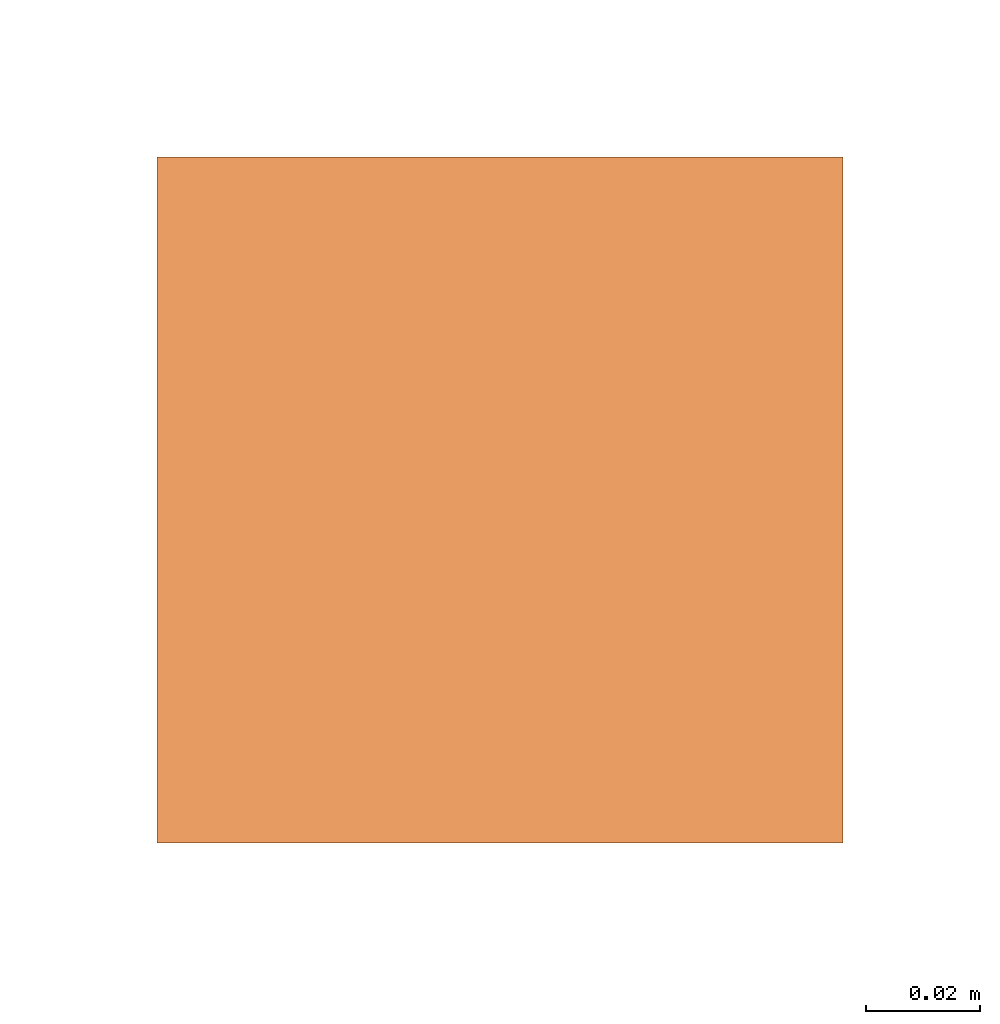
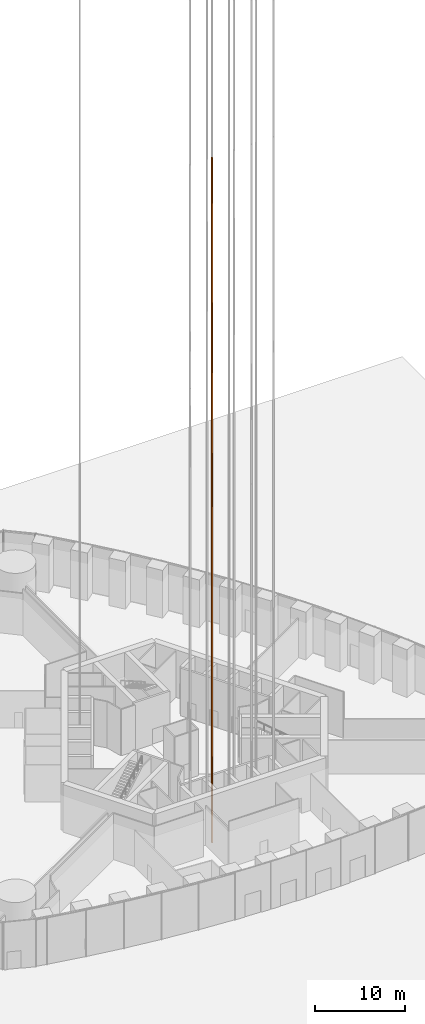
# One storey, part 26 of 43: 1 proxy.
"""IFC4 building model written with IfcOpenShell, lengths in metres."""

from ifc_helpers import new_model, si_unit, direction, frame, origin, origin_2d, place, context, subcontext, project, spatial, rectangle, extrude, element, save


model = new_model("IFC4")

# Units and contexts
model_context = context("Model", 3, precision=1e-05, world=origin(), true_north=direction((0.0, 1.0)))
body_context = subcontext(model_context, "Body", "Model", "MODEL_VIEW")
ifc_project = project(units=[si_unit("LENGTHUNIT", "METRE"), si_unit("AREAUNIT", "SQUARE_METRE"), si_unit("VOLUMEUNIT", "CUBIC_METRE"), si_unit("PLANEANGLEUNIT", "RADIAN"), si_unit("MASSUNIT", "GRAM", prefix="KILO")], contexts=[model_context])

# Site, building, storey
site_placement = place(None, origin())
site = spatial("IfcSite", under=ifc_project, at=site_placement, CompositionType="ELEMENT")
building_placement = place(site_placement, origin())
building = spatial("IfcBuilding", under=site, at=building_placement, Name="Trefoil Bronze Tower", CompositionType="ELEMENT")
storey_placement = place(building_placement, origin())
storey = spatial("IfcBuildingStorey", under=building, at=storey_placement, Name="L00", CompositionType="ELEMENT", Elevation=0.0)

# Proxy
proxy_placement = place(storey_placement, frame((-2.534912109375, -11.3125, -1.60009765625), z_axis=(0.0, 0.0, 1.0), x_axis=(1.0, 0.0, 0.0)))
element("IfcBuildingElementProxy", 1, at=proxy_placement, inside=storey, Name="Lift P12 guide rail 1", ObjectType="LIFT GUIDE RAIL", PredefinedType="USERDEFINED", context=body_context, shape_type="SweptSolid", body=[
    extrude(rectangle(XDim=0.1201171875, YDim=0.1201171875, at=origin_2d()), origin(), (0.0, 0.0, 1.0), 93.35009765625),
])

save(model, "model.ifc")
